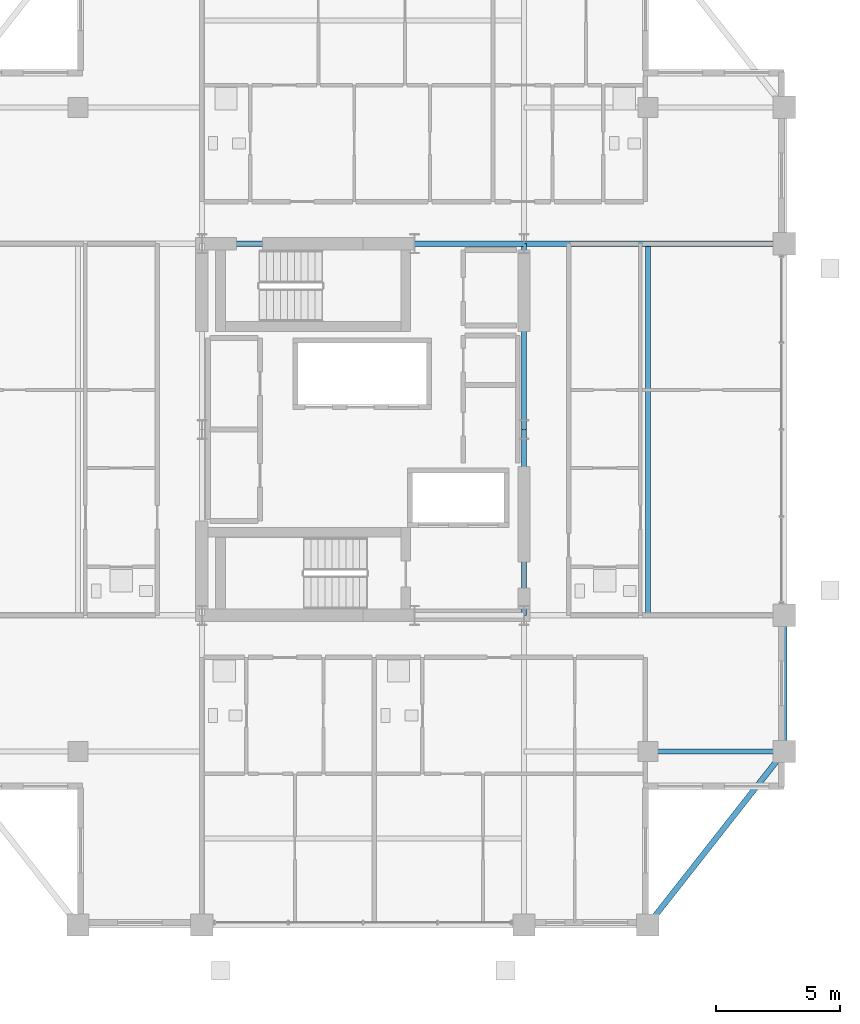
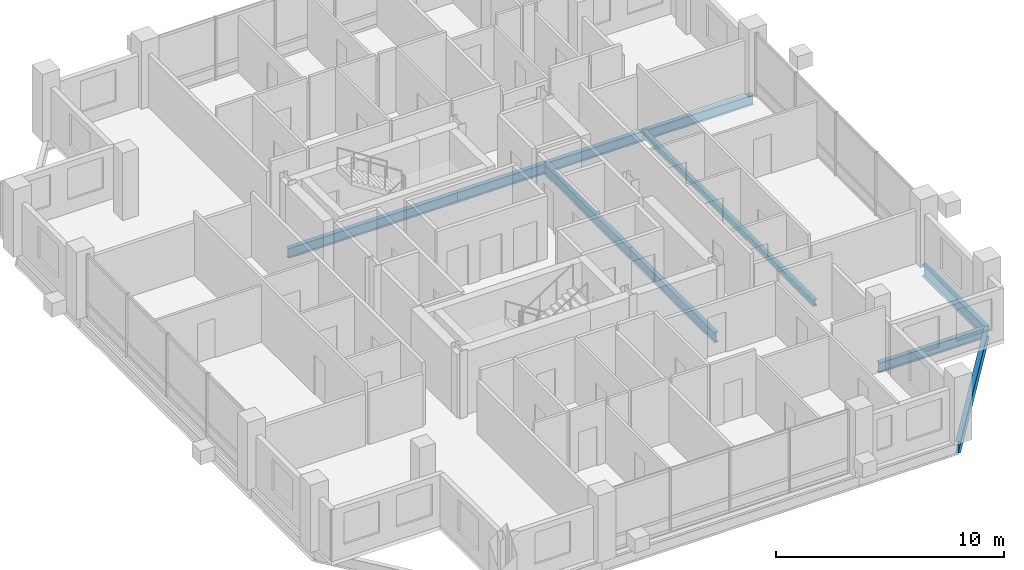
# One storey, part 9 of 22: 9 beams.
"""IFC4 building model written with IfcOpenShell, lengths in metres."""

import ifcopenshell
import ifcopenshell.guid

model = None  # the IFC model being written
_history = None  # IfcOwnerHistory: only IFC2X3 demands one
_inside = {}  # id of a spatial element -> (the spatial element, [elements in it])
_under = {}  # id of a project, library or spatial element -> (it, [spatial elements below it])
_declared = {}  # id of a project -> (the project, [libraries it declares])
_typed = {}  # id of a type object -> (the type object, [elements of that type])
_made_of = {}  # id of a material, layer set ... -> (it, [elements and type objects made of it])


def new_model(schema):
    """Start an empty IFC model of exactly this schema.

    Asked for "IFC4X3", IfcOpenShell would pick the latest addendum, in which some entities
    have other attributes; the version numbers below select the first issue.
    IFC2X3 requires an IfcOwnerHistory on every rooted entity: one is made here for all.
    """
    global model, _history
    if schema == "IFC4X3":
        model = ifcopenshell.file(schema_version=(4, 3, 0, 0))
    else:
        model = ifcopenshell.file(schema=schema)
    _inside.clear()
    _under.clear()
    _declared.clear()
    _typed.clear()
    _made_of.clear()
    _history = None
    if model.schema == "IFC2X3":
        org = make("IfcOrganization", Name="unknown")
        user = make(
            "IfcPersonAndOrganization",
            ThePerson=make("IfcPerson", FamilyName="unknown"),
            TheOrganization=org,
        )
        app = make(
            "IfcApplication",
            ApplicationDeveloper=org,
            Version="unknown",
            ApplicationFullName="unknown",
            ApplicationIdentifier="unknown",
        )
        _history = make(
            "IfcOwnerHistory",
            OwningUser=user,
            OwningApplication=app,
            ChangeAction="ADDED",
            CreationDate=0,
        )
    return model


def make(cls, **values):
    """One entity of the class cls with the attributes given. An attribute that is None is left unset."""
    return model.create_entity(
        cls, **{name: value for name, value in values.items() if value is not None}
    )


def rooted(cls, **values):
    """An entity with a GlobalId (a new one), such as an element, a storey or a relation."""
    return make(cls, GlobalId=ifcopenshell.guid.new(), OwnerHistory=_history, **values)


def si_unit(unit_type, name, prefix=None):
    """IfcSIUnit, for example si_unit("LENGTHUNIT", "METRE", prefix="MILLI")."""
    return make("IfcSIUnit", UnitType=unit_type, Prefix=prefix, Name=name)


def assignment(units):
    """IfcUnitAssignment: the units of a project."""
    return None if units is None else make("IfcUnitAssignment", Units=units)


def point(xyz):
    """IfcCartesianPoint."""
    return None if xyz is None else make("IfcCartesianPoint", Coordinates=xyz)


def direction(xyz):
    """IfcDirection."""
    return None if xyz is None else make("IfcDirection", DirectionRatios=xyz)


def frame(location, z_axis=None, x_axis=None):
    """IfcAxis2Placement3D, a coordinate frame: its origin and axes. An axis left out is left unset."""
    return make(
        "IfcAxis2Placement3D",
        Location=point(location),
        Axis=direction(z_axis),
        RefDirection=direction(x_axis),
    )


def frame_2d(location, x_axis=None):
    """IfcAxis2Placement2D, a coordinate frame in the plane: its origin and x axis."""
    return make(
        "IfcAxis2Placement2D", Location=point(location), RefDirection=direction(x_axis)
    )


def origin():
    """The frame at (0, 0, 0) with its axes left unset."""
    return frame((0.0, 0.0, 0.0))


def origin_2d():
    """The frame at (0, 0) in the plane with its x axis left unset."""
    return frame_2d((0.0, 0.0))


def place(relative_to, where):
    """IfcLocalPlacement: puts the frame where relative to a parent placement (None: the world)."""
    return make(
        "IfcLocalPlacement", PlacementRelTo=relative_to, RelativePlacement=where
    )


def context(
    kind, dimensions, precision=None, world=None, true_north=None, identifier=None
):
    """IfcGeometricRepresentationContext, for example the 3D "Model" context."""
    return make(
        "IfcGeometricRepresentationContext",
        ContextIdentifier=identifier,
        ContextType=kind,
        CoordinateSpaceDimension=dimensions,
        Precision=precision,
        WorldCoordinateSystem=world,
        TrueNorth=true_north,
    )


def subcontext(parent, identifier, kind, view, scale=None):
    """IfcGeometricRepresentationSubContext, for example "Body" below "Model"."""
    return make(
        "IfcGeometricRepresentationSubContext",
        ContextIdentifier=identifier,
        ContextType=kind,
        ParentContext=parent,
        TargetScale=scale,
        TargetView=view,
    )


def project(units=None, contexts=None):
    """IfcProject with its units and contexts."""
    return rooted(
        "IfcProject",
        Name="project",
        RepresentationContexts=contexts,
        UnitsInContext=assignment(units),
    )


def spatial(cls, under=None, at=None, **own):
    """A site, building, storey or space (cls), placed at a placement, below another one or the project."""
    s = rooted(cls, ObjectPlacement=at, **own)
    if under is not None:
        _under.setdefault(under.id(), (under, []))[1].append(s)
    return s


def profile(cls, at=None, kind="AREA", **sizes):
    """A parametric profile (cls). Its sizes go by their IFC names, for example OverallWidth=200.0."""
    return make(cls, ProfileType=kind, Position=at, **sizes)


def i_section(**sizes):
    """IfcIShapeProfileDef."""
    return profile("IfcIShapeProfileDef", **sizes)


def extrude(swept, where, along, depth):
    """IfcExtrudedAreaSolid: the profile swept, set in the frame where, extruded along a direction by depth."""
    return make(
        "IfcExtrudedAreaSolid",
        SweptArea=swept,
        Position=where,
        ExtrudedDirection=direction(along),
        Depth=depth,
    )


def shape(context_of_items, identifier, shape_type, items):
    """IfcShapeRepresentation: the items that make up one representation, for example the "Body"."""
    return make(
        "IfcShapeRepresentation",
        ContextOfItems=context_of_items,
        RepresentationIdentifier=identifier,
        RepresentationType=shape_type,
        Items=items,
    )


def material(Name=None, Category=None):
    """IfcMaterial."""
    return make("IfcMaterial", Name=Name, Category=Category)


def material_profile(
    of_material, cross_section, Name=None, Category=None, Priority=None
):
    """IfcMaterialProfile: a cross section and its material."""
    return make(
        "IfcMaterialProfile",
        Name=Name,
        Material=of_material,
        Profile=cross_section,
        Priority=Priority,
        Category=Category,
    )


def profile_set(profiles, Name=None, composite=None):
    """IfcMaterialProfileSet."""
    return make(
        "IfcMaterialProfileSet",
        Name=Name,
        MaterialProfiles=profiles,
        CompositeProfile=composite,
    )


def made_of(thing, what):
    """Note that an element or type object is made of a material, layer set ...; save() writes the relation."""
    if what is not None:
        _made_of.setdefault(what.id(), (what, []))[1].append(thing)
    return thing


def type_object(cls, material=None, **own):
    """A type object (cls), such as IfcWallType, which elements share."""
    return made_of(rooted(cls, **own), material)


def element(
    cls,
    number,
    at=None,
    inside=None,
    cuts=None,
    type_object=None,
    material=None,
    context=None,
    identifier="Body",
    shape_type=None,
    held_by="IfcProductDefinitionShape",
    body=None,
    shapes=None,
    **own,
):
    """One element of the class cls, such as IfcWall. Its Tag is "e" and its number.

    at: its placement. inside: the storey or other place that contains it. cuts: it is an
    opening in that element (IfcRelVoidsElement). A single representation is given by context,
    identifier, shape_type and body (its items); several are given by shapes. held_by: the class
    of the entity that holds the representations. save() writes the other relations.
    """
    e = rooted(cls, Tag="e%d" % number, ObjectPlacement=at, **own)
    if body is not None:
        shapes = [shape(context, identifier, shape_type, body)]
    if shapes is not None:
        e.Representation = make(held_by, Representations=shapes)
    if inside is not None:
        _inside.setdefault(inside.id(), (inside, []))[1].append(e)
    if cuts is not None:
        rooted(
            "IfcRelVoidsElement", RelatingBuildingElement=cuts, RelatedOpeningElement=e
        )
    if type_object is not None:
        _typed.setdefault(type_object.id(), (type_object, []))[1].append(e)
    return made_of(e, material)


def aggregate(whole, parts):
    """IfcRelAggregates: a whole, such as a stair, and the parts it consists of."""
    return rooted("IfcRelAggregates", RelatingObject=whole, RelatedObjects=parts)


def save(model, path):
    """Write the relations noted so far, then the file.

    IfcRelAggregates (storeys below a building ...), IfcRelContainedInSpatialStructure (elements
    in a storey), IfcRelDefinesByType, IfcRelAssociatesMaterial and IfcRelDeclares: one each for
    every whole, place, type object, material and project.
    """
    for whole, parts in _under.values():
        aggregate(whole, parts)
    for where, things in _inside.values():
        rooted(
            "IfcRelContainedInSpatialStructure",
            RelatedElements=things,
            RelatingStructure=where,
        )
    for kind, things in _typed.values():
        rooted("IfcRelDefinesByType", RelatedObjects=things, RelatingType=kind)
    for what, things in _made_of.values():
        rooted("IfcRelAssociatesMaterial", RelatedObjects=things, RelatingMaterial=what)
    for by, libraries in _declared.values():
        rooted("IfcRelDeclares", RelatingContext=by, RelatedDefinitions=libraries)
    model.write(path)


model = new_model("IFC4")

# Units and contexts
model_context = context("Model", 3, precision=1e-05, world=origin(), true_north=direction((0.0, 1.0)))
body_context = subcontext(model_context, "Body", "Model", "MODEL_VIEW")
ifc_project = project(units=[si_unit("LENGTHUNIT", "METRE"), si_unit("AREAUNIT", "SQUARE_METRE"), si_unit("VOLUMEUNIT", "CUBIC_METRE"), si_unit("PLANEANGLEUNIT", "RADIAN"), si_unit("MASSUNIT", "GRAM", prefix="KILO")], contexts=[model_context])

# Site, building, storey
site_placement = place(None, origin())
site = spatial("IfcSite", under=ifc_project, at=site_placement, CompositionType="ELEMENT")
building_placement = place(site_placement, origin())
building = spatial("IfcBuilding", under=site, at=building_placement, Name="Barlavira Tower and Art Museum", CompositionType="ELEMENT")
storey_placement = place(building_placement, frame((0.0, 0.0, 243.89990234375)))
storey = spatial("IfcBuildingStorey", under=building, at=storey_placement, Name="L63", CompositionType="ELEMENT", Elevation=243.89990234375)

# Beams
ifc_material = material(Name="Steel S355", Category="steel")
ifc_material_profile_1 = material_profile(ifc_material, i_section(OverallWidth=0.22998046875, OverallDepth=0.616943359375, WebThickness=0.01318359375, FlangeThickness=0.022216796875, at=origin_2d()), Name="W610x140.0")
ifc_profile_set_1 = profile_set([ifc_material_profile_1], Name="Steel S355")
beam_type_1 = type_object("IfcBeamType", Name="Upper Shaft Spandrel Edge Beam W610x140 Steel S355", PredefinedType="SPANDREL", material=ifc_profile_set_1)
beam_1_placement = place(storey_placement, frame((11.5, -20.0, -0.5283203125), z_axis=(0.617821551932, 0.786318338822, 0.0), x_axis=(-0.786318338822, 0.617821551932, 0.0)))
element("IfcBeam", 1, at=beam_1_placement, inside=storey, type_object=beam_type_1, Name="L63 Spandrel 4", PredefinedType="SPANDREL", context=body_context, shape_type="SweptSolid", body=[
    extrude(i_section(OverallWidth=0.22998046875, OverallDepth=0.616943359375, WebThickness=0.01318359375, FlangeThickness=0.022216796875, at=origin_2d()), origin(), (0.0, 0.0, 1.0), 8.90234375),
])
beam_2_placement = place(storey_placement, frame((17.0, -13.0, -0.5283203125), z_axis=(0.0, 1.0, 0.0), x_axis=(-1.0, 0.0, 0.0)))
element("IfcBeam", 2, at=beam_2_placement, inside=storey, type_object=beam_type_1, Name="L63 Spandrel 5", PredefinedType="SPANDREL", context=body_context, shape_type="SweptSolid", body=[
    extrude(i_section(OverallWidth=0.22998046875, OverallDepth=0.616943359375, WebThickness=0.01318359375, FlangeThickness=0.022216796875, at=origin_2d()), origin(), (0.0, 0.0, 1.0), 5.5),
])
ifc_material_profile_2 = material_profile(ifc_material, i_section(OverallWidth=0.2109375, OverallDepth=0.5390625, WebThickness=0.01171875, FlangeThickness=0.018798828125, at=origin_2d()), Name="W530x109.0")
ifc_profile_set_2 = profile_set([ifc_material_profile_2], Name="Steel S355")
beam_type_2 = type_object("IfcBeamType", Name="Zone 3-4 Primary Floor Girder W530x109 Steel S355", PredefinedType="BEAM", material=ifc_profile_set_2)
beam_3_placement = place(storey_placement, frame((-6.5, 7.5, -0.489501953125), z_axis=(1.0, 0.0, 0.0), x_axis=(0.0, 1.0, 0.0)))
element("IfcBeam", 3, at=beam_3_placement, inside=storey, type_object=beam_type_2, Name="L63 Girder C-N1", PredefinedType="BEAM", context=body_context, shape_type="SweptSolid", body=[
    extrude(i_section(OverallWidth=0.2109375, OverallDepth=0.5390625, WebThickness=0.01171875, FlangeThickness=0.018798828125, at=origin_2d()), origin(), (0.0, 0.0, 1.0), 8.580078125),
])
beam_4_placement = place(storey_placement, frame((2.080078125, 7.5, -0.489501953125), z_axis=(1.0, 0.0, 0.0), x_axis=(0.0, 1.0, 0.0)))
element("IfcBeam", 4, at=beam_4_placement, inside=storey, type_object=beam_type_2, Name="L63 Girder C-N2", PredefinedType="BEAM", context=body_context, shape_type="SweptSolid", body=[
    extrude(i_section(OverallWidth=0.2109375, OverallDepth=0.5390625, WebThickness=0.01171875, FlangeThickness=0.018798828125, at=origin_2d()), origin(), (0.0, 0.0, 1.0), 4.419921875),
])
for number, where, z_axis, x_axis, name in (
    (5, (6.5, -7.5, -0.489501953125), (0.0, 1.0, 0.0), (-1.0, 0.0, 0.0), "L63 Girder C-E1"),
    (6, (6.5, 0.0, -0.489501953125), (0.0, 1.0, 0.0), (-1.0, 0.0, 0.0), "L63 Girder C-E2"),
):
    element("IfcBeam", number, at=place(storey_placement, frame(where, z_axis=z_axis, x_axis=x_axis)), inside=storey, type_object=beam_type_2, Name=name, PredefinedType="BEAM", context=body_context, shape_type="SweptSolid", body=[
        extrude(i_section(OverallWidth=0.2109375, OverallDepth=0.5390625, WebThickness=0.01171875, FlangeThickness=0.018798828125, at=origin_2d()), origin(), (0.0, 0.0, 1.0), 7.5),
    ])
beam_5_placement = place(storey_placement, frame((6.5, 7.5, -0.489501953125), z_axis=(1.0, 0.0, 0.0), x_axis=(0.0, 1.0, 0.0)))
element("IfcBeam", 7, at=beam_5_placement, inside=storey, type_object=beam_type_2, Name="L63 Girder R-E2", PredefinedType="BEAM", context=body_context, shape_type="SweptSolid", body=[
    extrude(i_section(OverallWidth=0.2109375, OverallDepth=0.5390625, WebThickness=0.01171875, FlangeThickness=0.018798828125, at=origin_2d()), origin(), (0.0, 0.0, 1.0), 10.5),
])
beam_6_placement = place(storey_placement, frame((11.5, -13.0, -0.489501953125), z_axis=(1.0, 0.0, 0.0), x_axis=(0.0, 1.0, 0.0)))
element("IfcBeam", 8, at=beam_6_placement, inside=storey, type_object=beam_type_2, Name="L63 Girder I-S4", PredefinedType="BEAM", context=body_context, shape_type="SweptSolid", body=[
    extrude(i_section(OverallWidth=0.2109375, OverallDepth=0.5390625, WebThickness=0.01171875, FlangeThickness=0.018798828125, at=origin_2d()), origin(), (0.0, 0.0, 1.0), 5.5),
])
ifc_material_profile_3 = material_profile(ifc_material, i_section(OverallWidth=0.202880859375, OverallDepth=0.346923828125, WebThickness=0.0078125, FlangeThickness=0.013427734375, at=origin_2d()), Name="W360x64.0")
ifc_profile_set_3 = profile_set([ifc_material_profile_3], Name="Steel S355")
beam_type_3 = type_object("IfcBeamType", Name="Zone 4 Composite Floor Joist W360x64 Steel S355", PredefinedType="JOIST", material=ifc_profile_set_3)
beam_7_placement = place(storey_placement, frame((11.5, -7.5, -0.393310546875), z_axis=(0.0, 1.0, 0.0), x_axis=(-1.0, 0.0, 0.0)))
element("IfcBeam", 9, at=beam_7_placement, inside=storey, type_object=beam_type_3, Name="L63 Joist W2", PredefinedType="JOIST", context=body_context, shape_type="SweptSolid", body=[
    extrude(i_section(OverallWidth=0.202880859375, OverallDepth=0.346923828125, WebThickness=0.0078125, FlangeThickness=0.013427734375, at=origin_2d()), origin(), (0.0, 0.0, 1.0), 15.0),
])

save(model, "model.ifc")
